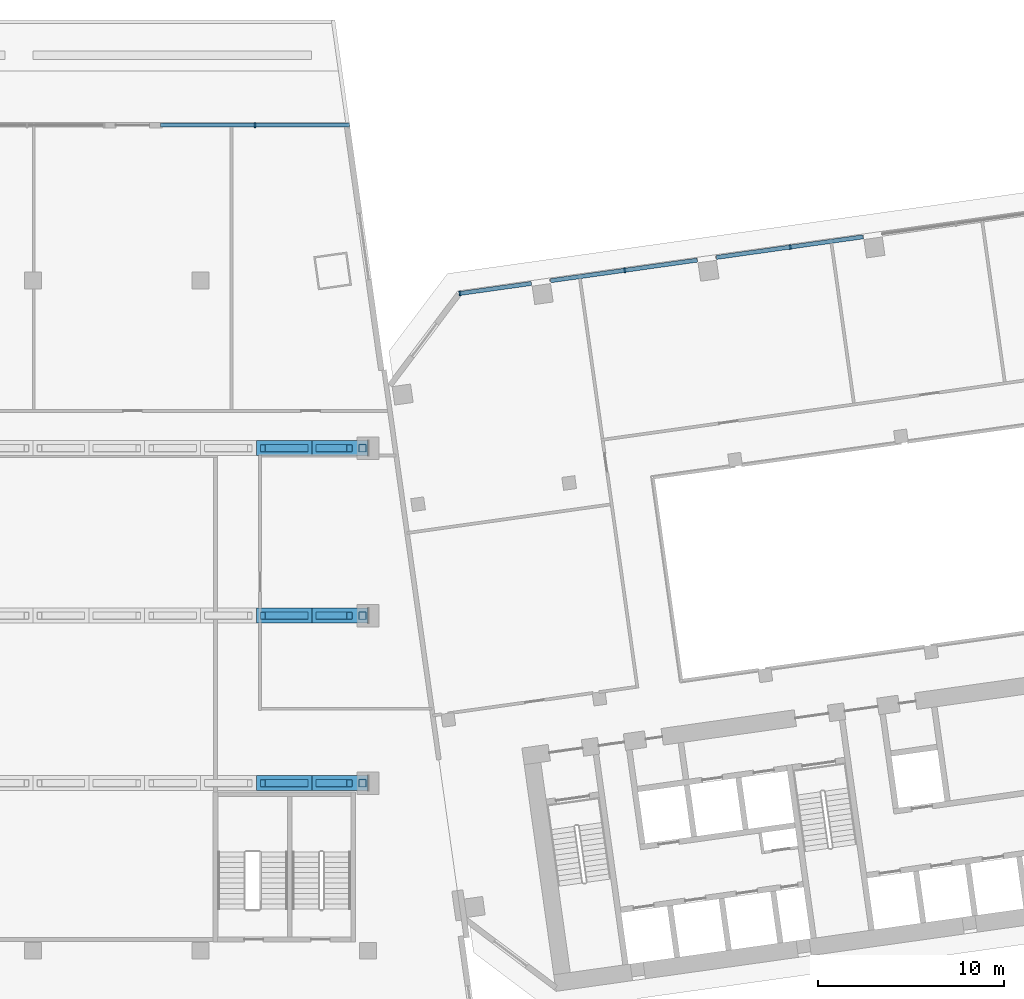
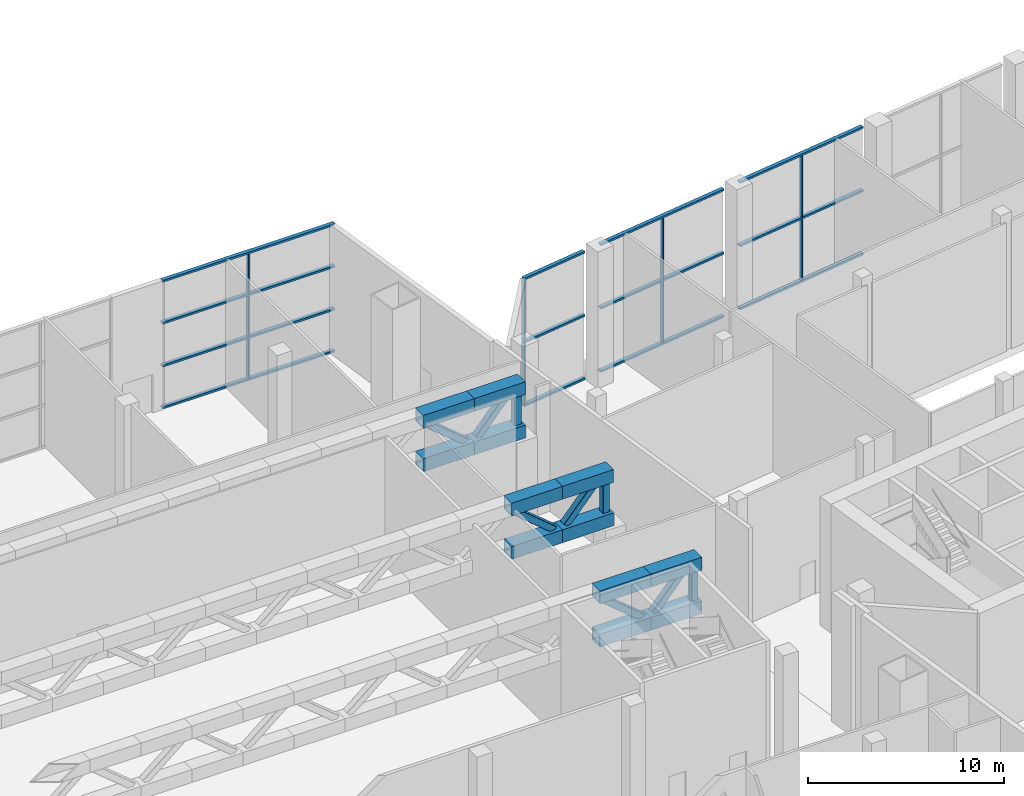
# One storey, part 8 of 31: 43 members, 2 elements without a shape of their own.
"""IFC4 building model written with IfcOpenShell, lengths in metres."""

from ifc_helpers import new_model, si_unit, direction, frame, origin, origin_2d, place, context, subcontext, project, spatial, rectangle, hollow_rectangle, extrude, material, material_profile, profile_set, type_object, element, aggregate, save


model = new_model("IFC4")

# Units and contexts
model_context = context("Model", 3, precision=1e-05, world=origin(), true_north=direction((0.0, 1.0)))
body_context = subcontext(model_context, "Body", "Model", "MODEL_VIEW")
ifc_project = project(units=[si_unit("LENGTHUNIT", "METRE"), si_unit("AREAUNIT", "SQUARE_METRE"), si_unit("VOLUMEUNIT", "CUBIC_METRE"), si_unit("PLANEANGLEUNIT", "RADIAN"), si_unit("MASSUNIT", "GRAM", prefix="KILO")], contexts=[model_context])

# Site, building, storey
site_placement = place(None, origin())
site = spatial("IfcSite", under=ifc_project, at=site_placement, CompositionType="ELEMENT")
building_placement = place(site_placement, origin())
building = spatial("IfcBuilding", under=site, at=building_placement, Name="Mirante Cascada Hotel Towers", CompositionType="ELEMENT")
storey_placement = place(building_placement, frame((0.0, 0.0, 9.0)))
storey = spatial("IfcBuildingStorey", under=building, at=storey_placement, Name="L01", CompositionType="ELEMENT", Elevation=9.0)

# Curtain wall, members
ifc_material_1 = material(Name="Aluminium mullion and transom frame with clear laminated glass", Category="aluminium")
curtain_wall_type = type_object("IfcCurtainWallType", Name="Podium curtain wall ECW3", PredefinedType="NOTDEFINED", material=ifc_material_1)
curtain_wall_1_placement = place(storey_placement, origin())
curtain_wall_1 = element("IfcCurtainWall", 1, at=curtain_wall_1_placement, inside=storey, type_object=curtain_wall_type, Name="Front podium glazing T2 L01", PredefinedType="NOTDEFINED")
ifc_material_2 = material(Name="Anodised aluminium extrusion", Category="aluminium")
ifc_material_profile_1 = material_profile(ifc_material_2, rectangle(XDim=0.26, YDim=0.08, at=origin_2d()), Name="ECW3 MULLION 80x260")
ifc_profile_set_1 = profile_set([ifc_material_profile_1], Name="Anodised aluminium extrusion")
member_type_1 = type_object("IfcMemberType", Name="ECW3 mullion 80x260", PredefinedType="MULLION", material=ifc_profile_set_1)
member_1_placement = place(storey_placement, frame((49.684, 19.8017, 0.12), z_axis=(0.0, 0.0, 1.0), x_axis=(0.1391731, -0.9902681, 0.0)))
member_1 = element("IfcMember", 2, at=member_1_placement, type_object=member_type_1, Name="ECW3 mullion 11", PredefinedType="MULLION", context=body_context, shape_type="SweptSolid", body=[
    extrude(rectangle(XDim=0.26, YDim=0.08, at=origin_2d()), origin(), (0.0, 0.0, 1.0), 3.82),
])
member_2_placement = place(storey_placement, frame((49.684, 19.8017, 4.06), z_axis=(0.0, 0.0, 1.0), x_axis=(0.1391731, -0.9902681, 0.0)))
member_2 = element("IfcMember", 3, at=member_2_placement, type_object=member_type_1, Name="ECW3 mullion 11", PredefinedType="MULLION", context=body_context, shape_type="SweptSolid", body=[
    extrude(rectangle(XDim=0.26, YDim=0.08, at=origin_2d()), origin(), (0.0, 0.0, 1.0), 3.82),
])
member_3_placement = place(storey_placement, frame((40.7892, 18.5516, 0.12), z_axis=(0.0, 0.0, 1.0), x_axis=(0.1391731, -0.9902681, 0.0)))
member_3 = element("IfcMember", 4, at=member_3_placement, type_object=member_type_1, Name="ECW3 mullion 13", PredefinedType="MULLION", context=body_context, shape_type="SweptSolid", body=[
    extrude(rectangle(XDim=0.26, YDim=0.08, at=origin_2d()), origin(), (0.0, 0.0, 1.0), 3.82),
])
member_4_placement = place(storey_placement, frame((40.7892, 18.5516, 4.06), z_axis=(0.0, 0.0, 1.0), x_axis=(0.1391731, -0.9902681, 0.0)))
member_4 = element("IfcMember", 5, at=member_4_placement, type_object=member_type_1, Name="ECW3 mullion 13", PredefinedType="MULLION", context=body_context, shape_type="SweptSolid", body=[
    extrude(rectangle(XDim=0.26, YDim=0.08, at=origin_2d()), origin(), (0.0, 0.0, 1.0), 3.82),
])
member_5_placement = place(storey_placement, frame((31.9339, 17.307, 0.12), z_axis=(0.0, 0.0, 1.0), x_axis=(0.1391731, -0.9902681, 0.0)))
member_5 = element("IfcMember", 6, at=member_5_placement, type_object=member_type_1, Name="ECW3 mullion 15", PredefinedType="MULLION", context=body_context, shape_type="SweptSolid", body=[
    extrude(rectangle(XDim=0.26, YDim=0.08, at=origin_2d()), origin(), (0.0, 0.0, 1.0), 3.82),
])
member_6_placement = place(storey_placement, frame((31.9339, 17.307, 4.06), z_axis=(0.0, 0.0, 1.0), x_axis=(0.1391731, -0.9902681, 0.0)))
member_6 = element("IfcMember", 7, at=member_6_placement, type_object=member_type_1, Name="ECW3 mullion 15", PredefinedType="MULLION", context=body_context, shape_type="SweptSolid", body=[
    extrude(rectangle(XDim=0.26, YDim=0.08, at=origin_2d()), origin(), (0.0, 0.0, 1.0), 3.82),
])

curtain_wall_2_placement = place(storey_placement, origin())
curtain_wall_2 = element("IfcCurtainWall", 8, at=curtain_wall_2_placement, inside=storey, type_object=curtain_wall_type, Name="Podium curtain wall L01 run 4.1", PredefinedType="NOTDEFINED")
member_7_placement = place(storey_placement, frame((20.9233, 26.35, 0.12), z_axis=(0.0, 0.0, 1.0), x_axis=(0.0, -1.0, 0.0)))
member_7 = element("IfcMember", 9, at=member_7_placement, type_object=member_type_1, Name="ECW3 mullion 2", PredefinedType="MULLION", context=body_context, shape_type="SweptSolid", body=[
    extrude(rectangle(XDim=0.26, YDim=0.08, at=origin_2d()), origin(), (0.0, 0.0, 1.0), 2.4867),
])
member_8_placement = place(storey_placement, frame((20.9233, 26.35, 2.7267), z_axis=(0.0, 0.0, 1.0), x_axis=(0.0, -1.0, 0.0)))
member_8 = element("IfcMember", 10, at=member_8_placement, type_object=member_type_1, Name="ECW3 mullion 2", PredefinedType="MULLION", context=body_context, shape_type="SweptSolid", body=[
    extrude(rectangle(XDim=0.26, YDim=0.08, at=origin_2d()), origin(), (0.0, 0.0, 1.0), 2.5466),
])
member_9_placement = place(storey_placement, frame((20.9233, 26.35, 5.3933), z_axis=(0.0, 0.0, 1.0), x_axis=(0.0, -1.0, 0.0)))
member_9 = element("IfcMember", 11, at=member_9_placement, type_object=member_type_1, Name="ECW3 mullion 2", PredefinedType="MULLION", context=body_context, shape_type="SweptSolid", body=[
    extrude(rectangle(XDim=0.26, YDim=0.08, at=origin_2d()), origin(), (0.0, 0.0, 1.0), 2.4867),
])

# Member
ifc_material_3 = material(Name="Anodised aluminium extrusion", Category="aluminium")
ifc_material_profile_2 = material_profile(ifc_material_3, rectangle(XDim=0.22, YDim=0.12, at=origin_2d()), Name="ECW3 TRANSOM 120x220")
ifc_profile_set_2 = profile_set([ifc_material_profile_2], Name="Anodised aluminium extrusion")
member_type_2 = type_object("IfcMemberType", Name="ECW3 transom 120x220", PredefinedType="USERDEFINED", material=ifc_profile_set_2)
member_10_placement = place(storey_placement, frame((53.5989, 20.3519, 0.06), z_axis=(-0.9902666, -0.1391838, 0.0), x_axis=(0.1391838, -0.9902666, 0.0)))
member_10 = element("IfcMember", 12, at=member_10_placement, type_object=member_type_2, Name="ECW3 sill transom", ObjectType="TRANSOM", PredefinedType="USERDEFINED", context=body_context, shape_type="SweptSolid", body=[
    extrude(rectangle(XDim=0.22, YDim=0.12, at=origin_2d()), origin(), (0.0, 0.0, 1.0), 7.96),
])

member_11_placement = place(storey_placement, frame((44.6865, 19.0993, 0.06), z_axis=(-0.9902685, -0.1391698, 0.0), x_axis=(0.1391698, -0.9902685, 0.0)))
member_11 = element("IfcMember", 13, at=member_11_placement, type_object=member_type_2, Name="ECW3 sill transom", ObjectType="TRANSOM", PredefinedType="USERDEFINED", context=body_context, shape_type="SweptSolid", body=[
    extrude(rectangle(XDim=0.22, YDim=0.12, at=origin_2d()), origin(), (0.0, 0.0, 1.0), 7.9601),
])

member_12_placement = place(storey_placement, frame((35.7741, 17.8467, 0.06), z_axis=(-0.9902705, -0.1391555, 0.0), x_axis=(0.1391555, -0.9902705, 0.0)))
member_12 = element("IfcMember", 14, at=member_12_placement, type_object=member_type_2, Name="ECW3 sill transom", ObjectType="TRANSOM", PredefinedType="USERDEFINED", context=body_context, shape_type="SweptSolid", body=[
    extrude(rectangle(XDim=0.22, YDim=0.12, at=origin_2d()), origin(), (0.0, 0.0, 1.0), 3.9179),
])

member_13_placement = place(storey_placement, frame((53.5989, 20.3519, 4.0), z_axis=(-0.9902666, -0.1391838, 0.0), x_axis=(0.1391838, -0.9902666, 0.0)))
member_13 = element("IfcMember", 15, at=member_13_placement, type_object=member_type_2, Name="ECW3 intermediate transom", ObjectType="TRANSOM", PredefinedType="USERDEFINED", context=body_context, shape_type="SweptSolid", body=[
    extrude(rectangle(XDim=0.22, YDim=0.12, at=origin_2d()), origin(), (0.0, 0.0, 1.0), 7.96),
])

member_14_placement = place(storey_placement, frame((44.6865, 19.0993, 4.0), z_axis=(-0.9902685, -0.1391698, 0.0), x_axis=(0.1391698, -0.9902685, 0.0)))
member_14 = element("IfcMember", 16, at=member_14_placement, type_object=member_type_2, Name="ECW3 intermediate transom", ObjectType="TRANSOM", PredefinedType="USERDEFINED", context=body_context, shape_type="SweptSolid", body=[
    extrude(rectangle(XDim=0.22, YDim=0.12, at=origin_2d()), origin(), (0.0, 0.0, 1.0), 7.9601),
])

member_15_placement = place(storey_placement, frame((35.7741, 17.8467, 4.0), z_axis=(-0.9902705, -0.1391555, 0.0), x_axis=(0.1391555, -0.9902705, 0.0)))
member_15 = element("IfcMember", 17, at=member_15_placement, type_object=member_type_2, Name="ECW3 intermediate transom", ObjectType="TRANSOM", PredefinedType="USERDEFINED", context=body_context, shape_type="SweptSolid", body=[
    extrude(rectangle(XDim=0.22, YDim=0.12, at=origin_2d()), origin(), (0.0, 0.0, 1.0), 3.9179),
])

member_16_placement = place(storey_placement, frame((53.5989, 20.3519, 7.94), z_axis=(-0.9902666, -0.1391838, 0.0), x_axis=(0.1391838, -0.9902666, 0.0)))
member_16 = element("IfcMember", 18, at=member_16_placement, type_object=member_type_2, Name="ECW3 head transom", ObjectType="TRANSOM", PredefinedType="USERDEFINED", context=body_context, shape_type="SweptSolid", body=[
    extrude(rectangle(XDim=0.22, YDim=0.12, at=origin_2d()), origin(), (0.0, 0.0, 1.0), 7.96),
])

member_17_placement = place(storey_placement, frame((44.6865, 19.0993, 7.94), z_axis=(-0.9902685, -0.1391698, 0.0), x_axis=(0.1391698, -0.9902685, 0.0)))
member_17 = element("IfcMember", 19, at=member_17_placement, type_object=member_type_2, Name="ECW3 head transom", ObjectType="TRANSOM", PredefinedType="USERDEFINED", context=body_context, shape_type="SweptSolid", body=[
    extrude(rectangle(XDim=0.22, YDim=0.12, at=origin_2d()), origin(), (0.0, 0.0, 1.0), 7.9601),
])

member_18_placement = place(storey_placement, frame((35.7741, 17.8467, 7.94), z_axis=(-0.9902705, -0.1391555, 0.0), x_axis=(0.1391555, -0.9902705, 0.0)))
member_18 = element("IfcMember", 20, at=member_18_placement, type_object=member_type_2, Name="ECW3 head transom", ObjectType="TRANSOM", PredefinedType="USERDEFINED", context=body_context, shape_type="SweptSolid", body=[
    extrude(rectangle(XDim=0.22, YDim=0.12, at=origin_2d()), origin(), (0.0, 0.0, 1.0), 3.9179),
])

aggregate(curtain_wall_1, [member_10, member_11, member_12, member_13, member_14, member_15, member_16, member_17, member_18, member_1, member_2, member_3, member_4, member_5, member_6])

member_19_placement = place(storey_placement, frame((25.9946, 26.35, 0.06), z_axis=(-1.0, 0.0, 0.0), x_axis=(0.0, -1.0, 0.0)))
member_19 = element("IfcMember", 21, at=member_19_placement, type_object=member_type_2, Name="ECW3 sill transom", ObjectType="TRANSOM", PredefinedType="USERDEFINED", context=body_context, shape_type="SweptSolid", body=[
    extrude(rectangle(XDim=0.22, YDim=0.12, at=origin_2d()), origin(), (0.0, 0.0, 1.0), 10.1426),
])

member_20_placement = place(storey_placement, frame((25.9946, 26.35, 2.6667), z_axis=(-1.0, 0.0, 0.0), x_axis=(0.0, -1.0, 0.0)))
member_20 = element("IfcMember", 22, at=member_20_placement, type_object=member_type_2, Name="ECW3 intermediate transom", ObjectType="TRANSOM", PredefinedType="USERDEFINED", context=body_context, shape_type="SweptSolid", body=[
    extrude(rectangle(XDim=0.22, YDim=0.12, at=origin_2d()), origin(), (0.0, 0.0, 1.0), 10.1426),
])

member_21_placement = place(storey_placement, frame((25.9946, 26.35, 5.3333), z_axis=(-1.0, 0.0, 0.0), x_axis=(0.0, -1.0, 0.0)))
member_21 = element("IfcMember", 23, at=member_21_placement, type_object=member_type_2, Name="ECW3 intermediate transom", ObjectType="TRANSOM", PredefinedType="USERDEFINED", context=body_context, shape_type="SweptSolid", body=[
    extrude(rectangle(XDim=0.22, YDim=0.12, at=origin_2d()), origin(), (0.0, 0.0, 1.0), 10.1426),
])

member_22_placement = place(storey_placement, frame((25.9946, 26.35, 7.94), z_axis=(-1.0, 0.0, 0.0), x_axis=(0.0, -1.0, 0.0)))
member_22 = element("IfcMember", 24, at=member_22_placement, type_object=member_type_2, Name="ECW3 head transom", ObjectType="TRANSOM", PredefinedType="USERDEFINED", context=body_context, shape_type="SweptSolid", body=[
    extrude(rectangle(XDim=0.22, YDim=0.12, at=origin_2d()), origin(), (0.0, 0.0, 1.0), 10.1426),
])

aggregate(curtain_wall_2, [member_19, member_20, member_21, member_22, member_7, member_8, member_9])

# Members
ifc_material_4 = material(Name="ASTM A572 Gr 50", Category="steel")
ifc_material_profile_3 = material_profile(ifc_material_4, hollow_rectangle(XDim=0.8, YDim=0.8, WallThickness=0.05, at=origin_2d()), Name="BOX 800x800x50")
ifc_profile_set_3 = profile_set([ifc_material_profile_3], Name="ASTM A572 Gr 50")
member_type_3 = type_object("IfcMemberType", Name="Truss chord BOX 800x800x50 ASTM A572 Gr 50", PredefinedType="CHORD", material=ifc_profile_set_3)
for number, where, z_axis, x_axis, name in (
    (25, (21.0, -9.0, 8.1), (1.0, 0.0, 0.0), (0.0, 1.0, 0.0), "Transfer truss 1"),
    (26, (21.0, -9.0, 5.4), (1.0, 0.0, 0.0), (0.0, 1.0, 0.0), "Transfer truss 1"),
    (27, (24.0, -9.0, 8.1), (1.0, 0.0, 0.0), (0.0, 1.0, 0.0), "Transfer truss 1"),
    (28, (24.0, -9.0, 5.4), (1.0, 0.0, 0.0), (0.0, 1.0, 0.0), "Transfer truss 1"),
    (29, (21.0, 0.0, 8.1), (1.0, 0.0, 0.0), (0.0, 1.0, 0.0), "Transfer truss 2"),
    (30, (21.0, 0.0, 5.4), (1.0, 0.0, 0.0), (0.0, 1.0, 0.0), "Transfer truss 2"),
    (31, (24.0, 0.0, 8.1), (1.0, 0.0, 0.0), (0.0, 1.0, 0.0), "Transfer truss 2"),
    (32, (24.0, 0.0, 5.4), (1.0, 0.0, 0.0), (0.0, 1.0, 0.0), "Transfer truss 2"),
    (33, (21.0, 9.0, 8.1), (1.0, 0.0, 0.0), (0.0, 1.0, 0.0), "Transfer truss 3"),
    (34, (21.0, 9.0, 5.4), (1.0, 0.0, 0.0), (0.0, 1.0, 0.0), "Transfer truss 3"),
    (35, (24.0, 9.0, 8.1), (1.0, 0.0, 0.0), (0.0, 1.0, 0.0), "Transfer truss 3"),
    (36, (24.0, 9.0, 5.4), (1.0, 0.0, 0.0), (0.0, 1.0, 0.0), "Transfer truss 3"),
):
    element("IfcMember", number, at=place(storey_placement, frame(where, z_axis=z_axis, x_axis=x_axis)), inside=storey, type_object=member_type_3, Name=name, PredefinedType="CHORD", context=body_context, shape_type="SweptSolid", body=[
        extrude(hollow_rectangle(XDim=0.8, YDim=0.8, WallThickness=0.05, at=origin_2d()), origin(), (0.0, 0.0, 1.0), 3.0),
    ])
ifc_material_5 = material(Name="ASTM A572 Gr 50", Category="steel")
ifc_material_profile_4 = material_profile(ifc_material_5, hollow_rectangle(XDim=0.4, YDim=0.4, WallThickness=0.0159, InnerFilletRadius=0.0159, OuterFilletRadius=0.0318, at=origin_2d()), Name="HSS 400x400x16")
ifc_profile_set_4 = profile_set([ifc_material_profile_4], Name="ASTM A572 Gr 50")
member_type_4 = type_object("IfcMemberType", Name="Truss diagonal HSS 400x400x16 ASTM A572 Gr 50", PredefinedType="BRACE", material=ifc_profile_set_4)
member_23_placement = place(storey_placement, frame((21.35, -9.0, 7.7), z_axis=(0.7709618, 0.0, -0.6368814), x_axis=(0.0, 1.0, 0.0)))
element("IfcMember", 37, at=member_23_placement, inside=storey, type_object=member_type_4, Name="Transfer truss 1", PredefinedType="BRACE", context=body_context, shape_type="SweptSolid", body=[
    extrude(hollow_rectangle(XDim=0.4, YDim=0.4, WallThickness=0.0159, InnerFilletRadius=0.0159, OuterFilletRadius=0.0318, at=origin_2d()), origin(), (0.0, 0.0, 1.0), 2.9833),
])
member_24_placement = place(storey_placement, frame((24.35, -9.0, 5.8), z_axis=(0.6556867, 0.0, 0.7550331), x_axis=(0.0, 1.0, 0.0)))
element("IfcMember", 38, at=member_24_placement, inside=storey, type_object=member_type_4, Name="Transfer truss 1", PredefinedType="BRACE", context=body_context, shape_type="SweptSolid", body=[
    extrude(hollow_rectangle(XDim=0.4, YDim=0.4, WallThickness=0.0159, InnerFilletRadius=0.0159, OuterFilletRadius=0.0318, at=origin_2d()), origin(), (0.0, 0.0, 1.0), 2.5164),
])
member_25_placement = place(storey_placement, frame((21.35, 0.0, 7.7), z_axis=(0.7709618, 0.0, -0.6368814), x_axis=(0.0, 1.0, 0.0)))
element("IfcMember", 39, at=member_25_placement, inside=storey, type_object=member_type_4, Name="Transfer truss 2", PredefinedType="BRACE", context=body_context, shape_type="SweptSolid", body=[
    extrude(hollow_rectangle(XDim=0.4, YDim=0.4, WallThickness=0.0159, InnerFilletRadius=0.0159, OuterFilletRadius=0.0318, at=origin_2d()), origin(), (0.0, 0.0, 1.0), 2.9833),
])
member_26_placement = place(storey_placement, frame((24.35, 0.0, 5.8), z_axis=(0.6556867, 0.0, 0.7550331), x_axis=(0.0, 1.0, 0.0)))
element("IfcMember", 40, at=member_26_placement, inside=storey, type_object=member_type_4, Name="Transfer truss 2", PredefinedType="BRACE", context=body_context, shape_type="SweptSolid", body=[
    extrude(hollow_rectangle(XDim=0.4, YDim=0.4, WallThickness=0.0159, InnerFilletRadius=0.0159, OuterFilletRadius=0.0318, at=origin_2d()), origin(), (0.0, 0.0, 1.0), 2.5164),
])
member_27_placement = place(storey_placement, frame((21.35, 9.0, 7.7), z_axis=(0.7709618, 0.0, -0.6368814), x_axis=(0.0, 1.0, 0.0)))
element("IfcMember", 41, at=member_27_placement, inside=storey, type_object=member_type_4, Name="Transfer truss 3", PredefinedType="BRACE", context=body_context, shape_type="SweptSolid", body=[
    extrude(hollow_rectangle(XDim=0.4, YDim=0.4, WallThickness=0.0159, InnerFilletRadius=0.0159, OuterFilletRadius=0.0318, at=origin_2d()), origin(), (0.0, 0.0, 1.0), 2.9833),
])
member_28_placement = place(storey_placement, frame((24.35, 9.0, 5.8), z_axis=(0.6556867, 0.0, 0.7550331), x_axis=(0.0, 1.0, 0.0)))
element("IfcMember", 42, at=member_28_placement, inside=storey, type_object=member_type_4, Name="Transfer truss 3", PredefinedType="BRACE", context=body_context, shape_type="SweptSolid", body=[
    extrude(hollow_rectangle(XDim=0.4, YDim=0.4, WallThickness=0.0159, InnerFilletRadius=0.0159, OuterFilletRadius=0.0318, at=origin_2d()), origin(), (0.0, 0.0, 1.0), 2.5164),
])
ifc_material_6 = material(Name="ASTM A572 Gr 50", Category="steel")
ifc_material_profile_5 = material_profile(ifc_material_6, hollow_rectangle(XDim=0.4, YDim=0.4, WallThickness=0.0159, InnerFilletRadius=0.0159, OuterFilletRadius=0.0318, at=origin_2d()), Name="HSS 400x400x16")
ifc_profile_set_5 = profile_set([ifc_material_profile_5], Name="ASTM A572 Gr 50")
member_type_5 = type_object("IfcMemberType", Name="Truss post HSS 400x400x16 ASTM A572 Gr 50", PredefinedType="POST", material=ifc_profile_set_5)
for number, where, z_axis, x_axis, name in (
    (43, (26.7, -9.0, 5.8), (0.0, 0.0, 1.0), (1.0, 0.0, 0.0), "Transfer truss 1"),
    (44, (26.7, 0.0, 5.8), (0.0, 0.0, 1.0), (1.0, 0.0, 0.0), "Transfer truss 2"),
    (45, (26.7, 9.0, 5.8), (0.0, 0.0, 1.0), (1.0, 0.0, 0.0), "Transfer truss 3"),
):
    element("IfcMember", number, at=place(storey_placement, frame(where, z_axis=z_axis, x_axis=x_axis)), inside=storey, type_object=member_type_5, Name=name, PredefinedType="POST", context=body_context, shape_type="SweptSolid", body=[
        extrude(hollow_rectangle(XDim=0.4, YDim=0.4, WallThickness=0.0159, InnerFilletRadius=0.0159, OuterFilletRadius=0.0318, at=origin_2d()), origin(), (0.0, 0.0, 1.0), 1.9),
    ])

save(model, "model.ifc")
